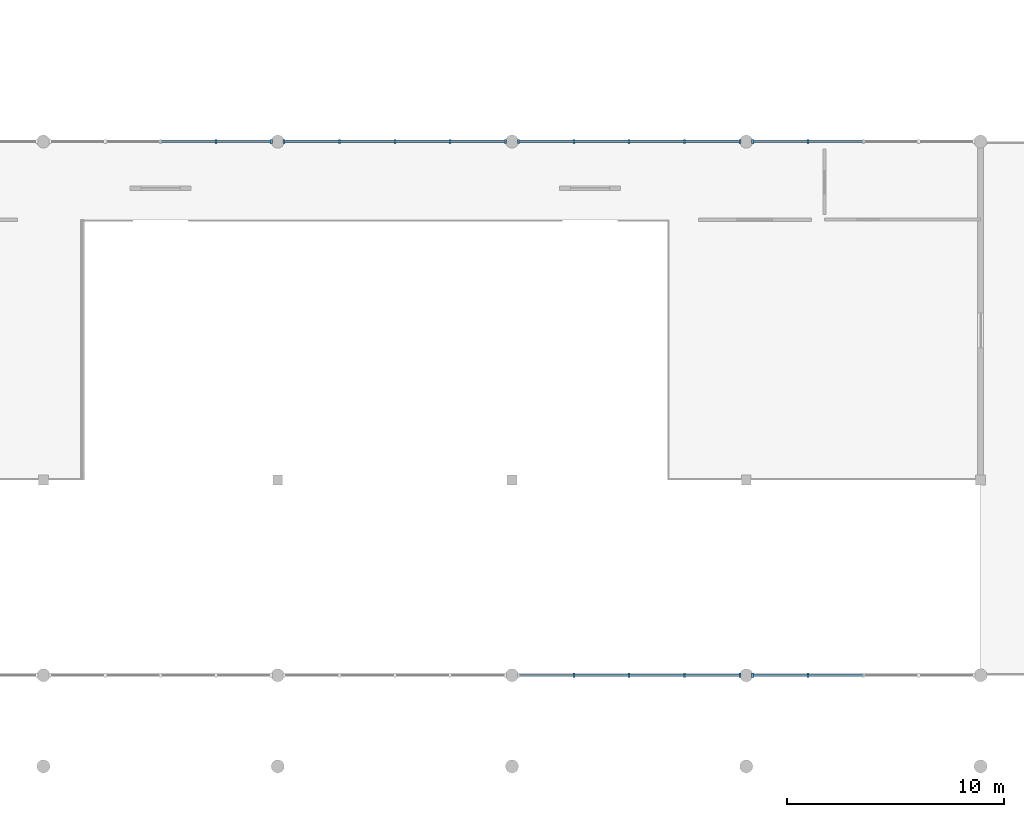
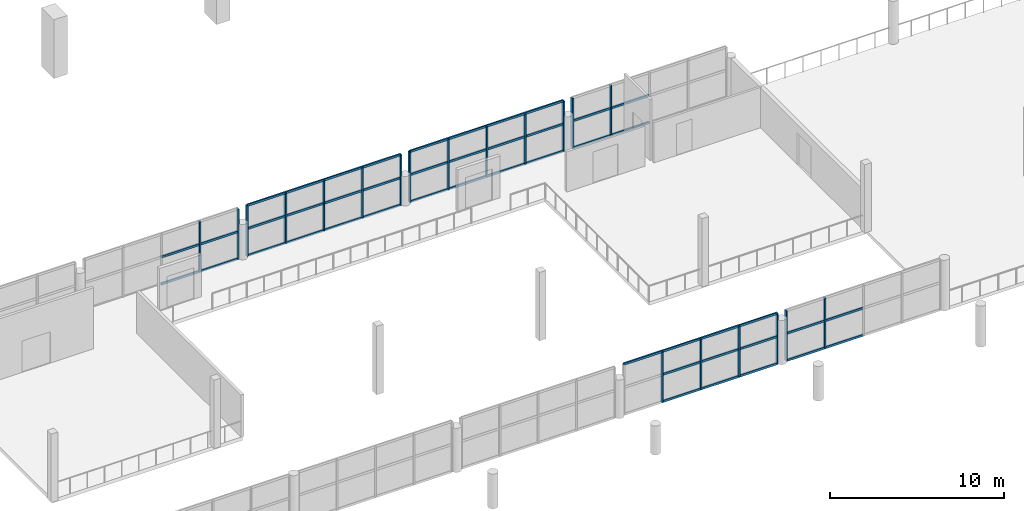
# One storey, part 19 of 74: 57 members, 6 elements without a shape of their own.
"""IFC4 building model written with IfcOpenShell, lengths in metres."""

from ifc_helpers import new_model, si_unit, direction, frame, origin, origin_2d, place, context, subcontext, project, spatial, rectangle, extrude, material, material_profile, profile_set, type_object, element, aggregate, save


model = new_model("IFC4")

# Units and contexts
model_context = context("Model", 3, precision=1e-05, world=origin(), true_north=direction((0.0, 1.0)))
body_context = subcontext(model_context, "Body", "Model", "MODEL_VIEW")
ifc_project = project(units=[si_unit("LENGTHUNIT", "METRE"), si_unit("AREAUNIT", "SQUARE_METRE"), si_unit("VOLUMEUNIT", "CUBIC_METRE"), si_unit("PLANEANGLEUNIT", "RADIAN"), si_unit("MASSUNIT", "GRAM", prefix="KILO")], contexts=[model_context])

# Site, building, storey
site_placement = place(None, origin())
site = spatial("IfcSite", under=ifc_project, at=site_placement, CompositionType="ELEMENT")
building_placement = place(site_placement, origin())
building = spatial("IfcBuilding", under=site, at=building_placement, Name="Suirenkawa Promenade Aquatics Centre", CompositionType="ELEMENT")
storey_placement = place(building_placement, frame((0.0, 0.0, 4.800048828125)))
storey = spatial("IfcBuildingStorey", under=building, at=storey_placement, Name="L01", CompositionType="ELEMENT", Elevation=4.800048828125)

# Curtain wall, members
ifc_material = material(Name="Anodised aluminium 6063-T6", Category="aluminium")
curtain_wall_type_1 = type_object("IfcCurtainWallType", Name="CWAT-V3NL1-25", PredefinedType="NOTDEFINED", material=ifc_material)
curtain_wall_1_placement = place(storey_placement, origin())
curtain_wall_1 = element("IfcCurtainWall", 1, at=curtain_wall_1_placement, inside=storey, type_object=curtain_wall_type_1, Name="Curtain wall CWA-25 CW-057", PredefinedType="NOTDEFINED")
ifc_material_profile_1 = material_profile(ifc_material, rectangle(XDim=0.094970703125, YDim=0.18994140625, at=origin_2d()), Name="ALU MULL 95x190", Category="aluminium")
ifc_profile_set_1 = profile_set([ifc_material_profile_1], Name="Anodised aluminium 6063-T6")
member_type_1 = type_object("IfcMemberType", Name="CWM-190x95", PredefinedType="MULLION", material=ifc_profile_set_1)
member_1_placement = place(storey_placement, frame((97.950439453125, 28.800048828125, 0.0), z_axis=(0.0, 0.0, 1.0), x_axis=(1.0, 0.0, 0.0)))
member_1 = element("IfcMember", 2, at=member_1_placement, type_object=member_type_1, Name="Mullion ML-02 CWM-01126", PredefinedType="MULLION", context=body_context, shape_type="SweptSolid", body=[
    extrude(rectangle(XDim=0.094970703125, YDim=0.18994140625, at=origin_2d()), origin(), (0.0, 0.0, 1.0), 3.52001953125),
])
member_2_placement = place(storey_placement, frame((100.5009765625, 28.800048828125, 0.0), z_axis=(0.0, 0.0, 1.0), x_axis=(1.0, 0.0, 0.0)))
member_2 = element("IfcMember", 3, at=member_2_placement, type_object=member_type_1, Name="Mullion ML-02 CWM-01127", PredefinedType="MULLION", context=body_context, shape_type="SweptSolid", body=[
    extrude(rectangle(XDim=0.094970703125, YDim=0.18994140625, at=origin_2d()), origin(), (0.0, 0.0, 1.0), 3.52001953125),
])

curtain_wall_2_placement = place(storey_placement, origin())
curtain_wall_2 = element("IfcCurtainWall", 4, at=curtain_wall_2_placement, inside=storey, type_object=curtain_wall_type_1, Name="Curtain wall CWA-25 CW-060", PredefinedType="NOTDEFINED")
member_3_placement = place(storey_placement, frame((101.09912109375, 28.800048828125, 0.0), z_axis=(0.0, 0.0, 1.0), x_axis=(1.0, 0.0, 0.0)))
member_3 = element("IfcMember", 5, at=member_3_placement, type_object=member_type_1, Name="Mullion ML-02 CWM-01189", PredefinedType="MULLION", context=body_context, shape_type="SweptSolid", body=[
    extrude(rectangle(XDim=0.094970703125, YDim=0.18994140625, at=origin_2d()), origin(), (0.0, 0.0, 1.0), 3.52001953125),
])
member_4_placement = place(storey_placement, frame((103.6494140625, 28.800048828125, 0.0), z_axis=(0.0, 0.0, 1.0), x_axis=(1.0, 0.0, 0.0)))
member_4 = element("IfcMember", 6, at=member_4_placement, type_object=member_type_1, Name="Mullion ML-02 CWM-01190", PredefinedType="MULLION", context=body_context, shape_type="SweptSolid", body=[
    extrude(rectangle(XDim=0.094970703125, YDim=0.18994140625, at=origin_2d()), origin(), (0.0, 0.0, 1.0), 3.52001953125),
])
member_5_placement = place(storey_placement, frame((106.199951171875, 28.800048828125, 0.0), z_axis=(0.0, 0.0, 1.0), x_axis=(1.0, 0.0, 0.0)))
member_5 = element("IfcMember", 7, at=member_5_placement, type_object=member_type_1, Name="Mullion ML-02 CWM-01191", PredefinedType="MULLION", context=body_context, shape_type="SweptSolid", body=[
    extrude(rectangle(XDim=0.094970703125, YDim=0.18994140625, at=origin_2d()), origin(), (0.0, 0.0, 1.0), 3.52001953125),
])
member_6_placement = place(storey_placement, frame((108.75048828125, 28.800048828125, 0.0), z_axis=(0.0, 0.0, 1.0), x_axis=(1.0, 0.0, 0.0)))
member_6 = element("IfcMember", 8, at=member_6_placement, type_object=member_type_1, Name="Mullion ML-02 CWM-01192", PredefinedType="MULLION", context=body_context, shape_type="SweptSolid", body=[
    extrude(rectangle(XDim=0.094970703125, YDim=0.18994140625, at=origin_2d()), origin(), (0.0, 0.0, 1.0), 3.52001953125),
])
member_7_placement = place(storey_placement, frame((111.301025390625, 28.800048828125, 0.0), z_axis=(0.0, 0.0, 1.0), x_axis=(1.0, 0.0, 0.0)))
member_7 = element("IfcMember", 9, at=member_7_placement, type_object=member_type_1, Name="Mullion ML-02 CWM-01193", PredefinedType="MULLION", context=body_context, shape_type="SweptSolid", body=[
    extrude(rectangle(XDim=0.094970703125, YDim=0.18994140625, at=origin_2d()), origin(), (0.0, 0.0, 1.0), 3.52001953125),
])

curtain_wall_type_2 = type_object("IfcCurtainWallType", Name="CWAT-V3SL1-24", PredefinedType="NOTDEFINED", material=ifc_material)
curtain_wall_3_placement = place(storey_placement, origin())
curtain_wall_3 = element("IfcCurtainWall", 10, at=curtain_wall_3_placement, inside=storey, type_object=curtain_wall_type_2, Name="Curtain wall CWA-24 CW-063", PredefinedType="NOTDEFINED")
member_8_placement = place(storey_placement, frame((122.10107421875, 4.199951171875, 0.0), z_axis=(0.0, 0.0, 1.0), x_axis=(-1.0, 0.0, 0.0)))
member_8 = element("IfcMember", 11, at=member_8_placement, type_object=member_type_1, Name="Mullion ML-02 CWM-01255", PredefinedType="MULLION", context=body_context, shape_type="SweptSolid", body=[
    extrude(rectangle(XDim=0.094970703125, YDim=0.18994140625, at=origin_2d()), origin(), (0.0, 0.0, 1.0), 3.52001953125),
])
member_9_placement = place(storey_placement, frame((119.550537109375, 4.199951171875, 0.0), z_axis=(0.0, 0.0, 1.0), x_axis=(-1.0, 0.0, 0.0)))
member_9 = element("IfcMember", 12, at=member_9_placement, type_object=member_type_1, Name="Mullion ML-02 CWM-01256", PredefinedType="MULLION", context=body_context, shape_type="SweptSolid", body=[
    extrude(rectangle(XDim=0.094970703125, YDim=0.18994140625, at=origin_2d()), origin(), (0.0, 0.0, 1.0), 3.52001953125),
])
member_10_placement = place(storey_placement, frame((117.0, 4.199951171875, 0.0), z_axis=(0.0, 0.0, 1.0), x_axis=(-1.0, 0.0, 0.0)))
member_10 = element("IfcMember", 13, at=member_10_placement, type_object=member_type_1, Name="Mullion ML-02 CWM-01257", PredefinedType="MULLION", context=body_context, shape_type="SweptSolid", body=[
    extrude(rectangle(XDim=0.094970703125, YDim=0.18994140625, at=origin_2d()), origin(), (0.0, 0.0, 1.0), 3.52001953125),
])
member_11_placement = place(storey_placement, frame((114.449462890625, 4.199951171875, 0.0), z_axis=(0.0, 0.0, 1.0), x_axis=(-1.0, 0.0, 0.0)))
member_11 = element("IfcMember", 14, at=member_11_placement, type_object=member_type_1, Name="Mullion ML-02 CWM-01258", PredefinedType="MULLION", context=body_context, shape_type="SweptSolid", body=[
    extrude(rectangle(XDim=0.094970703125, YDim=0.18994140625, at=origin_2d()), origin(), (0.0, 0.0, 1.0), 3.52001953125),
])

curtain_wall_4_placement = place(storey_placement, origin())
curtain_wall_4 = element("IfcCurtainWall", 15, at=curtain_wall_4_placement, inside=storey, type_object=curtain_wall_type_1, Name="Curtain wall CWA-25 CW-064", PredefinedType="NOTDEFINED")
member_12_placement = place(storey_placement, frame((111.89892578125, 28.800048828125, 0.0), z_axis=(0.0, 0.0, 1.0), x_axis=(1.0, 0.0, 0.0)))
member_12 = element("IfcMember", 16, at=member_12_placement, type_object=member_type_1, Name="Mullion ML-02 CWM-01277", PredefinedType="MULLION", context=body_context, shape_type="SweptSolid", body=[
    extrude(rectangle(XDim=0.094970703125, YDim=0.18994140625, at=origin_2d()), origin(), (0.0, 0.0, 1.0), 3.52001953125),
])
member_13_placement = place(storey_placement, frame((114.449462890625, 28.800048828125, 0.0), z_axis=(0.0, 0.0, 1.0), x_axis=(1.0, 0.0, 0.0)))
member_13 = element("IfcMember", 17, at=member_13_placement, type_object=member_type_1, Name="Mullion ML-02 CWM-01278", PredefinedType="MULLION", context=body_context, shape_type="SweptSolid", body=[
    extrude(rectangle(XDim=0.094970703125, YDim=0.18994140625, at=origin_2d()), origin(), (0.0, 0.0, 1.0), 3.52001953125),
])
member_14_placement = place(storey_placement, frame((117.0, 28.800048828125, 0.0), z_axis=(0.0, 0.0, 1.0), x_axis=(1.0, 0.0, 0.0)))
member_14 = element("IfcMember", 18, at=member_14_placement, type_object=member_type_1, Name="Mullion ML-02 CWM-01279", PredefinedType="MULLION", context=body_context, shape_type="SweptSolid", body=[
    extrude(rectangle(XDim=0.094970703125, YDim=0.18994140625, at=origin_2d()), origin(), (0.0, 0.0, 1.0), 3.52001953125),
])
member_15_placement = place(storey_placement, frame((119.550537109375, 28.800048828125, 0.0), z_axis=(0.0, 0.0, 1.0), x_axis=(1.0, 0.0, 0.0)))
member_15 = element("IfcMember", 19, at=member_15_placement, type_object=member_type_1, Name="Mullion ML-02 CWM-01280", PredefinedType="MULLION", context=body_context, shape_type="SweptSolid", body=[
    extrude(rectangle(XDim=0.094970703125, YDim=0.18994140625, at=origin_2d()), origin(), (0.0, 0.0, 1.0), 3.52001953125),
])
member_16_placement = place(storey_placement, frame((122.10107421875, 28.800048828125, 0.0), z_axis=(0.0, 0.0, 1.0), x_axis=(1.0, 0.0, 0.0)))
member_16 = element("IfcMember", 20, at=member_16_placement, type_object=member_type_1, Name="Mullion ML-02 CWM-01281", PredefinedType="MULLION", context=body_context, shape_type="SweptSolid", body=[
    extrude(rectangle(XDim=0.094970703125, YDim=0.18994140625, at=origin_2d()), origin(), (0.0, 0.0, 1.0), 3.52001953125),
])

curtain_wall_5_placement = place(storey_placement, origin())
curtain_wall_5 = element("IfcCurtainWall", 21, at=curtain_wall_5_placement, inside=storey, type_object=curtain_wall_type_2, Name="Curtain wall CWA-24 CW-065", PredefinedType="NOTDEFINED")
member_17_placement = place(storey_placement, frame((125.24951171875, 4.199951171875, 0.0), z_axis=(0.0, 0.0, 1.0), x_axis=(-1.0, 0.0, 0.0)))
member_17 = element("IfcMember", 22, at=member_17_placement, type_object=member_type_1, Name="Mullion ML-02 CWM-01302", PredefinedType="MULLION", context=body_context, shape_type="SweptSolid", body=[
    extrude(rectangle(XDim=0.094970703125, YDim=0.18994140625, at=origin_2d()), origin(), (0.0, 0.0, 1.0), 3.52001953125),
])
member_18_placement = place(storey_placement, frame((122.698974609375, 4.199951171875, 0.0), z_axis=(0.0, 0.0, 1.0), x_axis=(-1.0, 0.0, 0.0)))
member_18 = element("IfcMember", 23, at=member_18_placement, type_object=member_type_1, Name="Mullion ML-02 CWM-01303", PredefinedType="MULLION", context=body_context, shape_type="SweptSolid", body=[
    extrude(rectangle(XDim=0.094970703125, YDim=0.18994140625, at=origin_2d()), origin(), (0.0, 0.0, 1.0), 3.52001953125),
])

curtain_wall_6_placement = place(storey_placement, origin())
curtain_wall_6 = element("IfcCurtainWall", 24, at=curtain_wall_6_placement, inside=storey, type_object=curtain_wall_type_1, Name="Curtain wall CWA-25 CW-066", PredefinedType="NOTDEFINED")
member_19_placement = place(storey_placement, frame((122.698974609375, 28.800048828125, 0.0), z_axis=(0.0, 0.0, 1.0), x_axis=(1.0, 0.0, 0.0)))
member_19 = element("IfcMember", 25, at=member_19_placement, type_object=member_type_1, Name="Mullion ML-02 CWM-01321", PredefinedType="MULLION", context=body_context, shape_type="SweptSolid", body=[
    extrude(rectangle(XDim=0.094970703125, YDim=0.18994140625, at=origin_2d()), origin(), (0.0, 0.0, 1.0), 3.52001953125),
])
member_20_placement = place(storey_placement, frame((125.24951171875, 28.800048828125, 0.0), z_axis=(0.0, 0.0, 1.0), x_axis=(1.0, 0.0, 0.0)))
member_20 = element("IfcMember", 26, at=member_20_placement, type_object=member_type_1, Name="Mullion ML-02 CWM-01322", PredefinedType="MULLION", context=body_context, shape_type="SweptSolid", body=[
    extrude(rectangle(XDim=0.094970703125, YDim=0.18994140625, at=origin_2d()), origin(), (0.0, 0.0, 1.0), 3.52001953125),
])

# Member
ifc_material_profile_2 = material_profile(ifc_material, rectangle(XDim=0.094970703125, YDim=0.14990234375, at=origin_2d()), Name="ALU TRAN 95x150", Category="aluminium")
ifc_profile_set_2 = profile_set([ifc_material_profile_2], Name="Anodised aluminium 6063-T6")
member_type_2 = type_object("IfcMemberType", Name="CWT-150x95", PredefinedType="USERDEFINED", material=ifc_profile_set_2)
member_21_placement = place(storey_placement, frame((95.39990234375, 28.800048828125, 0.0), z_axis=(1.0, 0.0, 0.0), x_axis=(0.0, 1.0, 0.0)))
member_21 = element("IfcMember", 27, at=member_21_placement, type_object=member_type_2, Name="Transom TR-02 CWT-01130", ObjectType="TRANSOM", PredefinedType="USERDEFINED", context=body_context, shape_type="SweptSolid", body=[
    extrude(rectangle(XDim=0.094970703125, YDim=0.14990234375, at=origin_2d()), origin(), (0.0, 0.0, 1.0), 2.550537109375),
])

member_22_placement = place(storey_placement, frame((97.950439453125, 28.800048828125, 0.0), z_axis=(1.0, 0.0, 0.0), x_axis=(0.0, 1.0, 0.0)))
member_22 = element("IfcMember", 28, at=member_22_placement, type_object=member_type_2, Name="Transom TR-02 CWT-01131", ObjectType="TRANSOM", PredefinedType="USERDEFINED", context=body_context, shape_type="SweptSolid", body=[
    extrude(rectangle(XDim=0.094970703125, YDim=0.14990234375, at=origin_2d()), origin(), (0.0, 0.0, 1.0), 2.550537109375),
])

member_23_placement = place(storey_placement, frame((95.39990234375, 28.800048828125, 1.89990234375), z_axis=(1.0, 0.0, 0.0), x_axis=(0.0, 1.0, 0.0)))
member_23 = element("IfcMember", 29, at=member_23_placement, type_object=member_type_2, Name="Transom TR-02 CWT-01134", ObjectType="TRANSOM", PredefinedType="USERDEFINED", context=body_context, shape_type="SweptSolid", body=[
    extrude(rectangle(XDim=0.094970703125, YDim=0.14990234375, at=origin_2d()), origin(), (0.0, 0.0, 1.0), 2.550537109375),
])

member_24_placement = place(storey_placement, frame((97.950439453125, 28.800048828125, 1.89990234375), z_axis=(1.0, 0.0, 0.0), x_axis=(0.0, 1.0, 0.0)))
member_24 = element("IfcMember", 30, at=member_24_placement, type_object=member_type_2, Name="Transom TR-02 CWT-01135", ObjectType="TRANSOM", PredefinedType="USERDEFINED", context=body_context, shape_type="SweptSolid", body=[
    extrude(rectangle(XDim=0.094970703125, YDim=0.14990234375, at=origin_2d()), origin(), (0.0, 0.0, 1.0), 2.550537109375),
])

aggregate(curtain_wall_1, [member_1, member_2, member_21, member_22, member_23, member_24])

member_25_placement = place(storey_placement, frame((101.09912109375, 28.800048828125, 0.0), z_axis=(1.0, 0.0, 0.0), x_axis=(0.0, 1.0, 0.0)))
member_25 = element("IfcMember", 31, at=member_25_placement, type_object=member_type_2, Name="Transom TR-02 CWT-01194", ObjectType="TRANSOM", PredefinedType="USERDEFINED", context=body_context, shape_type="SweptSolid", body=[
    extrude(rectangle(XDim=0.094970703125, YDim=0.14990234375, at=origin_2d()), origin(), (0.0, 0.0, 1.0), 2.55029296875),
])

member_26_placement = place(storey_placement, frame((103.6494140625, 28.800048828125, 0.0), z_axis=(1.0, 0.0, 0.0), x_axis=(0.0, 1.0, 0.0)))
member_26 = element("IfcMember", 32, at=member_26_placement, type_object=member_type_2, Name="Transom TR-02 CWT-01195", ObjectType="TRANSOM", PredefinedType="USERDEFINED", context=body_context, shape_type="SweptSolid", body=[
    extrude(rectangle(XDim=0.094970703125, YDim=0.14990234375, at=origin_2d()), origin(), (0.0, 0.0, 1.0), 2.550537109375),
])

member_27_placement = place(storey_placement, frame((106.199951171875, 28.800048828125, 0.0), z_axis=(1.0, 0.0, 0.0), x_axis=(0.0, 1.0, 0.0)))
member_27 = element("IfcMember", 33, at=member_27_placement, type_object=member_type_2, Name="Transom TR-02 CWT-01196", ObjectType="TRANSOM", PredefinedType="USERDEFINED", context=body_context, shape_type="SweptSolid", body=[
    extrude(rectangle(XDim=0.094970703125, YDim=0.14990234375, at=origin_2d()), origin(), (0.0, 0.0, 1.0), 2.550537109375),
])

member_28_placement = place(storey_placement, frame((108.75048828125, 28.800048828125, 0.0), z_axis=(1.0, 0.0, 0.0), x_axis=(0.0, 1.0, 0.0)))
member_28 = element("IfcMember", 34, at=member_28_placement, type_object=member_type_2, Name="Transom TR-02 CWT-01197", ObjectType="TRANSOM", PredefinedType="USERDEFINED", context=body_context, shape_type="SweptSolid", body=[
    extrude(rectangle(XDim=0.094970703125, YDim=0.14990234375, at=origin_2d()), origin(), (0.0, 0.0, 1.0), 2.550537109375),
])

member_29_placement = place(storey_placement, frame((101.09912109375, 28.800048828125, 1.89990234375), z_axis=(1.0, 0.0, 0.0), x_axis=(0.0, 1.0, 0.0)))
member_29 = element("IfcMember", 35, at=member_29_placement, type_object=member_type_2, Name="Transom TR-02 CWT-01198", ObjectType="TRANSOM", PredefinedType="USERDEFINED", context=body_context, shape_type="SweptSolid", body=[
    extrude(rectangle(XDim=0.094970703125, YDim=0.14990234375, at=origin_2d()), origin(), (0.0, 0.0, 1.0), 2.55029296875),
])

member_30_placement = place(storey_placement, frame((103.6494140625, 28.800048828125, 1.89990234375), z_axis=(1.0, 0.0, 0.0), x_axis=(0.0, 1.0, 0.0)))
member_30 = element("IfcMember", 36, at=member_30_placement, type_object=member_type_2, Name="Transom TR-02 CWT-01199", ObjectType="TRANSOM", PredefinedType="USERDEFINED", context=body_context, shape_type="SweptSolid", body=[
    extrude(rectangle(XDim=0.094970703125, YDim=0.14990234375, at=origin_2d()), origin(), (0.0, 0.0, 1.0), 2.550537109375),
])

member_31_placement = place(storey_placement, frame((106.199951171875, 28.800048828125, 1.89990234375), z_axis=(1.0, 0.0, 0.0), x_axis=(0.0, 1.0, 0.0)))
member_31 = element("IfcMember", 37, at=member_31_placement, type_object=member_type_2, Name="Transom TR-02 CWT-01200", ObjectType="TRANSOM", PredefinedType="USERDEFINED", context=body_context, shape_type="SweptSolid", body=[
    extrude(rectangle(XDim=0.094970703125, YDim=0.14990234375, at=origin_2d()), origin(), (0.0, 0.0, 1.0), 2.550537109375),
])

member_32_placement = place(storey_placement, frame((108.75048828125, 28.800048828125, 1.89990234375), z_axis=(1.0, 0.0, 0.0), x_axis=(0.0, 1.0, 0.0)))
member_32 = element("IfcMember", 38, at=member_32_placement, type_object=member_type_2, Name="Transom TR-02 CWT-01201", ObjectType="TRANSOM", PredefinedType="USERDEFINED", context=body_context, shape_type="SweptSolid", body=[
    extrude(rectangle(XDim=0.094970703125, YDim=0.14990234375, at=origin_2d()), origin(), (0.0, 0.0, 1.0), 2.550537109375),
])

member_33_placement = place(storey_placement, frame((101.09912109375, 28.800048828125, 3.52001953125), z_axis=(1.0, 0.0, 0.0), x_axis=(0.0, 1.0, 0.0)))
member_33 = element("IfcMember", 39, at=member_33_placement, type_object=member_type_2, Name="Roofline transom TR-02 CWT-01202", ObjectType="TRANSOM", PredefinedType="USERDEFINED", context=body_context, shape_type="SweptSolid", body=[
    extrude(rectangle(XDim=0.094970703125, YDim=0.14990234375, at=origin_2d()), origin(), (0.0, 0.0, 1.0), 10.201904296875),
])

aggregate(curtain_wall_2, [member_3, member_4, member_5, member_6, member_7, member_25, member_26, member_27, member_28, member_29, member_30, member_31, member_32, member_33])

member_34_placement = place(storey_placement, frame((122.10107421875, 4.199951171875, 0.0), z_axis=(-1.0, 0.0, 0.0), x_axis=(0.0, -1.0, 0.0)))
member_34 = element("IfcMember", 40, at=member_34_placement, type_object=member_type_2, Name="Transom TR-02 CWT-01260", ObjectType="TRANSOM", PredefinedType="USERDEFINED", context=body_context, shape_type="SweptSolid", body=[
    extrude(rectangle(XDim=0.094970703125, YDim=0.14990234375, at=origin_2d()), origin(), (0.0, 0.0, 1.0), 2.550537109375),
])

member_35_placement = place(storey_placement, frame((119.550537109375, 4.199951171875, 0.0), z_axis=(-1.0, 0.0, 0.0), x_axis=(0.0, -1.0, 0.0)))
member_35 = element("IfcMember", 41, at=member_35_placement, type_object=member_type_2, Name="Transom TR-02 CWT-01261", ObjectType="TRANSOM", PredefinedType="USERDEFINED", context=body_context, shape_type="SweptSolid", body=[
    extrude(rectangle(XDim=0.094970703125, YDim=0.14990234375, at=origin_2d()), origin(), (0.0, 0.0, 1.0), 2.550537109375),
])

member_36_placement = place(storey_placement, frame((117.0, 4.199951171875, 0.0), z_axis=(-1.0, 0.0, 0.0), x_axis=(0.0, -1.0, 0.0)))
member_36 = element("IfcMember", 42, at=member_36_placement, type_object=member_type_2, Name="Transom TR-02 CWT-01262", ObjectType="TRANSOM", PredefinedType="USERDEFINED", context=body_context, shape_type="SweptSolid", body=[
    extrude(rectangle(XDim=0.094970703125, YDim=0.14990234375, at=origin_2d()), origin(), (0.0, 0.0, 1.0), 2.550537109375),
])

member_37_placement = place(storey_placement, frame((122.10107421875, 4.199951171875, 1.89990234375), z_axis=(-1.0, 0.0, 0.0), x_axis=(0.0, -1.0, 0.0)))
member_37 = element("IfcMember", 43, at=member_37_placement, type_object=member_type_2, Name="Transom TR-02 CWT-01264", ObjectType="TRANSOM", PredefinedType="USERDEFINED", context=body_context, shape_type="SweptSolid", body=[
    extrude(rectangle(XDim=0.094970703125, YDim=0.14990234375, at=origin_2d()), origin(), (0.0, 0.0, 1.0), 2.550537109375),
])

member_38_placement = place(storey_placement, frame((119.550537109375, 4.199951171875, 1.89990234375), z_axis=(-1.0, 0.0, 0.0), x_axis=(0.0, -1.0, 0.0)))
member_38 = element("IfcMember", 44, at=member_38_placement, type_object=member_type_2, Name="Transom TR-02 CWT-01265", ObjectType="TRANSOM", PredefinedType="USERDEFINED", context=body_context, shape_type="SweptSolid", body=[
    extrude(rectangle(XDim=0.094970703125, YDim=0.14990234375, at=origin_2d()), origin(), (0.0, 0.0, 1.0), 2.550537109375),
])

member_39_placement = place(storey_placement, frame((117.0, 4.199951171875, 1.89990234375), z_axis=(-1.0, 0.0, 0.0), x_axis=(0.0, -1.0, 0.0)))
member_39 = element("IfcMember", 45, at=member_39_placement, type_object=member_type_2, Name="Transom TR-02 CWT-01266", ObjectType="TRANSOM", PredefinedType="USERDEFINED", context=body_context, shape_type="SweptSolid", body=[
    extrude(rectangle(XDim=0.094970703125, YDim=0.14990234375, at=origin_2d()), origin(), (0.0, 0.0, 1.0), 2.550537109375),
])

member_40_placement = place(storey_placement, frame((122.10107421875, 4.199951171875, 3.52001953125), z_axis=(-1.0, 0.0, 0.0), x_axis=(0.0, -1.0, 0.0)))
member_40 = element("IfcMember", 46, at=member_40_placement, type_object=member_type_2, Name="Roofline transom TR-02 CWT-01268", ObjectType="TRANSOM", PredefinedType="USERDEFINED", context=body_context, shape_type="SweptSolid", body=[
    extrude(rectangle(XDim=0.094970703125, YDim=0.14990234375, at=origin_2d()), origin(), (0.0, 0.0, 1.0), 10.2021484375),
])

aggregate(curtain_wall_3, [member_8, member_9, member_10, member_11, member_34, member_35, member_36, member_37, member_38, member_39, member_40])

member_41_placement = place(storey_placement, frame((111.89892578125, 28.800048828125, 0.0), z_axis=(1.0, 0.0, 0.0), x_axis=(0.0, 1.0, 0.0)))
member_41 = element("IfcMember", 47, at=member_41_placement, type_object=member_type_2, Name="Transom TR-02 CWT-01282", ObjectType="TRANSOM", PredefinedType="USERDEFINED", context=body_context, shape_type="SweptSolid", body=[
    extrude(rectangle(XDim=0.094970703125, YDim=0.14990234375, at=origin_2d()), origin(), (0.0, 0.0, 1.0), 2.550537109375),
])

member_42_placement = place(storey_placement, frame((114.449462890625, 28.800048828125, 0.0), z_axis=(1.0, 0.0, 0.0), x_axis=(0.0, 1.0, 0.0)))
member_42 = element("IfcMember", 48, at=member_42_placement, type_object=member_type_2, Name="Transom TR-02 CWT-01283", ObjectType="TRANSOM", PredefinedType="USERDEFINED", context=body_context, shape_type="SweptSolid", body=[
    extrude(rectangle(XDim=0.094970703125, YDim=0.14990234375, at=origin_2d()), origin(), (0.0, 0.0, 1.0), 2.550537109375),
])

member_43_placement = place(storey_placement, frame((117.0, 28.800048828125, 0.0), z_axis=(1.0, 0.0, 0.0), x_axis=(0.0, 1.0, 0.0)))
member_43 = element("IfcMember", 49, at=member_43_placement, type_object=member_type_2, Name="Transom TR-02 CWT-01284", ObjectType="TRANSOM", PredefinedType="USERDEFINED", context=body_context, shape_type="SweptSolid", body=[
    extrude(rectangle(XDim=0.094970703125, YDim=0.14990234375, at=origin_2d()), origin(), (0.0, 0.0, 1.0), 2.550537109375),
])

member_44_placement = place(storey_placement, frame((119.550537109375, 28.800048828125, 0.0), z_axis=(1.0, 0.0, 0.0), x_axis=(0.0, 1.0, 0.0)))
member_44 = element("IfcMember", 50, at=member_44_placement, type_object=member_type_2, Name="Transom TR-02 CWT-01285", ObjectType="TRANSOM", PredefinedType="USERDEFINED", context=body_context, shape_type="SweptSolid", body=[
    extrude(rectangle(XDim=0.094970703125, YDim=0.14990234375, at=origin_2d()), origin(), (0.0, 0.0, 1.0), 2.550537109375),
])

member_45_placement = place(storey_placement, frame((111.89892578125, 28.800048828125, 1.89990234375), z_axis=(1.0, 0.0, 0.0), x_axis=(0.0, 1.0, 0.0)))
member_45 = element("IfcMember", 51, at=member_45_placement, type_object=member_type_2, Name="Transom TR-02 CWT-01286", ObjectType="TRANSOM", PredefinedType="USERDEFINED", context=body_context, shape_type="SweptSolid", body=[
    extrude(rectangle(XDim=0.094970703125, YDim=0.14990234375, at=origin_2d()), origin(), (0.0, 0.0, 1.0), 2.550537109375),
])

member_46_placement = place(storey_placement, frame((114.449462890625, 28.800048828125, 1.89990234375), z_axis=(1.0, 0.0, 0.0), x_axis=(0.0, 1.0, 0.0)))
member_46 = element("IfcMember", 52, at=member_46_placement, type_object=member_type_2, Name="Transom TR-02 CWT-01287", ObjectType="TRANSOM", PredefinedType="USERDEFINED", context=body_context, shape_type="SweptSolid", body=[
    extrude(rectangle(XDim=0.094970703125, YDim=0.14990234375, at=origin_2d()), origin(), (0.0, 0.0, 1.0), 2.550537109375),
])

member_47_placement = place(storey_placement, frame((117.0, 28.800048828125, 1.89990234375), z_axis=(1.0, 0.0, 0.0), x_axis=(0.0, 1.0, 0.0)))
member_47 = element("IfcMember", 53, at=member_47_placement, type_object=member_type_2, Name="Transom TR-02 CWT-01288", ObjectType="TRANSOM", PredefinedType="USERDEFINED", context=body_context, shape_type="SweptSolid", body=[
    extrude(rectangle(XDim=0.094970703125, YDim=0.14990234375, at=origin_2d()), origin(), (0.0, 0.0, 1.0), 2.550537109375),
])

member_48_placement = place(storey_placement, frame((119.550537109375, 28.800048828125, 1.89990234375), z_axis=(1.0, 0.0, 0.0), x_axis=(0.0, 1.0, 0.0)))
member_48 = element("IfcMember", 54, at=member_48_placement, type_object=member_type_2, Name="Transom TR-02 CWT-01289", ObjectType="TRANSOM", PredefinedType="USERDEFINED", context=body_context, shape_type="SweptSolid", body=[
    extrude(rectangle(XDim=0.094970703125, YDim=0.14990234375, at=origin_2d()), origin(), (0.0, 0.0, 1.0), 2.550537109375),
])

member_49_placement = place(storey_placement, frame((111.89892578125, 28.800048828125, 3.52001953125), z_axis=(1.0, 0.0, 0.0), x_axis=(0.0, 1.0, 0.0)))
member_49 = element("IfcMember", 55, at=member_49_placement, type_object=member_type_2, Name="Roofline transom TR-02 CWT-01290", ObjectType="TRANSOM", PredefinedType="USERDEFINED", context=body_context, shape_type="SweptSolid", body=[
    extrude(rectangle(XDim=0.094970703125, YDim=0.14990234375, at=origin_2d()), origin(), (0.0, 0.0, 1.0), 10.2021484375),
])

aggregate(curtain_wall_4, [member_12, member_13, member_14, member_15, member_16, member_41, member_42, member_43, member_44, member_45, member_46, member_47, member_48, member_49])

member_50_placement = place(storey_placement, frame((127.800048828125, 4.199951171875, 0.0), z_axis=(-1.0, 0.0, 0.0), x_axis=(0.0, -1.0, 0.0)))
member_50 = element("IfcMember", 56, at=member_50_placement, type_object=member_type_2, Name="Transom TR-02 CWT-01306", ObjectType="TRANSOM", PredefinedType="USERDEFINED", context=body_context, shape_type="SweptSolid", body=[
    extrude(rectangle(XDim=0.094970703125, YDim=0.14990234375, at=origin_2d()), origin(), (0.0, 0.0, 1.0), 2.550537109375),
])

member_51_placement = place(storey_placement, frame((125.24951171875, 4.199951171875, 0.0), z_axis=(-1.0, 0.0, 0.0), x_axis=(0.0, -1.0, 0.0)))
member_51 = element("IfcMember", 57, at=member_51_placement, type_object=member_type_2, Name="Transom TR-02 CWT-01307", ObjectType="TRANSOM", PredefinedType="USERDEFINED", context=body_context, shape_type="SweptSolid", body=[
    extrude(rectangle(XDim=0.094970703125, YDim=0.14990234375, at=origin_2d()), origin(), (0.0, 0.0, 1.0), 2.550537109375),
])

member_52_placement = place(storey_placement, frame((127.800048828125, 4.199951171875, 1.89990234375), z_axis=(-1.0, 0.0, 0.0), x_axis=(0.0, -1.0, 0.0)))
member_52 = element("IfcMember", 58, at=member_52_placement, type_object=member_type_2, Name="Transom TR-02 CWT-01310", ObjectType="TRANSOM", PredefinedType="USERDEFINED", context=body_context, shape_type="SweptSolid", body=[
    extrude(rectangle(XDim=0.094970703125, YDim=0.14990234375, at=origin_2d()), origin(), (0.0, 0.0, 1.0), 2.550537109375),
])

member_53_placement = place(storey_placement, frame((125.24951171875, 4.199951171875, 1.89990234375), z_axis=(-1.0, 0.0, 0.0), x_axis=(0.0, -1.0, 0.0)))
member_53 = element("IfcMember", 59, at=member_53_placement, type_object=member_type_2, Name="Transom TR-02 CWT-01311", ObjectType="TRANSOM", PredefinedType="USERDEFINED", context=body_context, shape_type="SweptSolid", body=[
    extrude(rectangle(XDim=0.094970703125, YDim=0.14990234375, at=origin_2d()), origin(), (0.0, 0.0, 1.0), 2.550537109375),
])

aggregate(curtain_wall_5, [member_17, member_18, member_50, member_51, member_52, member_53])

member_54_placement = place(storey_placement, frame((122.698974609375, 28.800048828125, 0.0), z_axis=(1.0, 0.0, 0.0), x_axis=(0.0, 1.0, 0.0)))
member_54 = element("IfcMember", 60, at=member_54_placement, type_object=member_type_2, Name="Transom TR-02 CWT-01326", ObjectType="TRANSOM", PredefinedType="USERDEFINED", context=body_context, shape_type="SweptSolid", body=[
    extrude(rectangle(XDim=0.094970703125, YDim=0.14990234375, at=origin_2d()), origin(), (0.0, 0.0, 1.0), 2.550537109375),
])

member_55_placement = place(storey_placement, frame((125.24951171875, 28.800048828125, 0.0), z_axis=(1.0, 0.0, 0.0), x_axis=(0.0, 1.0, 0.0)))
member_55 = element("IfcMember", 61, at=member_55_placement, type_object=member_type_2, Name="Transom TR-02 CWT-01327", ObjectType="TRANSOM", PredefinedType="USERDEFINED", context=body_context, shape_type="SweptSolid", body=[
    extrude(rectangle(XDim=0.094970703125, YDim=0.14990234375, at=origin_2d()), origin(), (0.0, 0.0, 1.0), 2.550537109375),
])

member_56_placement = place(storey_placement, frame((122.698974609375, 28.800048828125, 1.89990234375), z_axis=(1.0, 0.0, 0.0), x_axis=(0.0, 1.0, 0.0)))
member_56 = element("IfcMember", 62, at=member_56_placement, type_object=member_type_2, Name="Transom TR-02 CWT-01330", ObjectType="TRANSOM", PredefinedType="USERDEFINED", context=body_context, shape_type="SweptSolid", body=[
    extrude(rectangle(XDim=0.094970703125, YDim=0.14990234375, at=origin_2d()), origin(), (0.0, 0.0, 1.0), 2.550537109375),
])

member_57_placement = place(storey_placement, frame((125.24951171875, 28.800048828125, 1.89990234375), z_axis=(1.0, 0.0, 0.0), x_axis=(0.0, 1.0, 0.0)))
member_57 = element("IfcMember", 63, at=member_57_placement, type_object=member_type_2, Name="Transom TR-02 CWT-01331", ObjectType="TRANSOM", PredefinedType="USERDEFINED", context=body_context, shape_type="SweptSolid", body=[
    extrude(rectangle(XDim=0.094970703125, YDim=0.14990234375, at=origin_2d()), origin(), (0.0, 0.0, 1.0), 2.550537109375),
])

aggregate(curtain_wall_6, [member_19, member_20, member_54, member_55, member_56, member_57])

save(model, "model.ifc")
